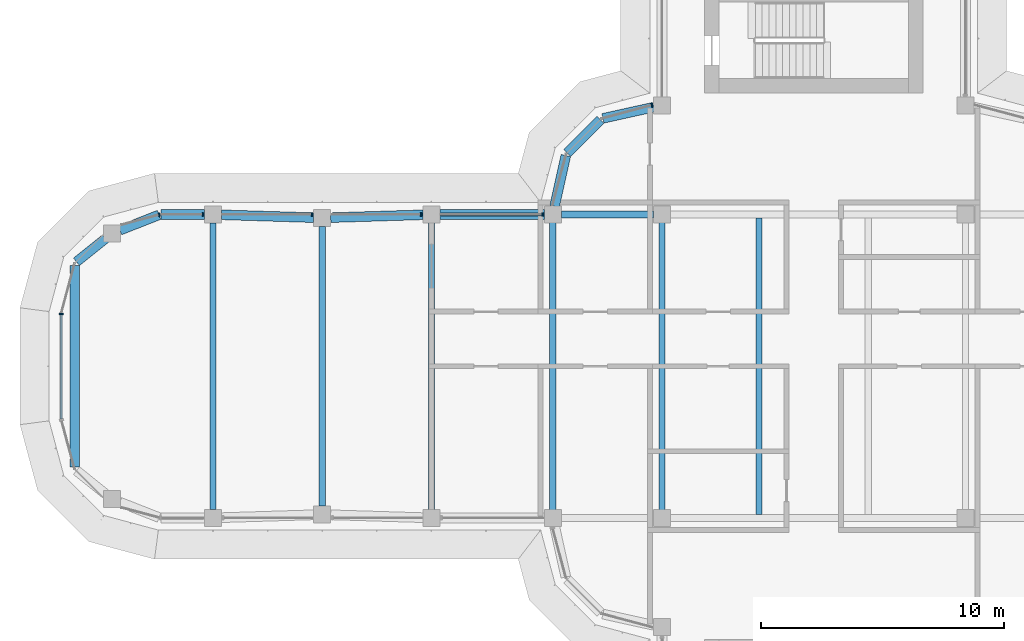
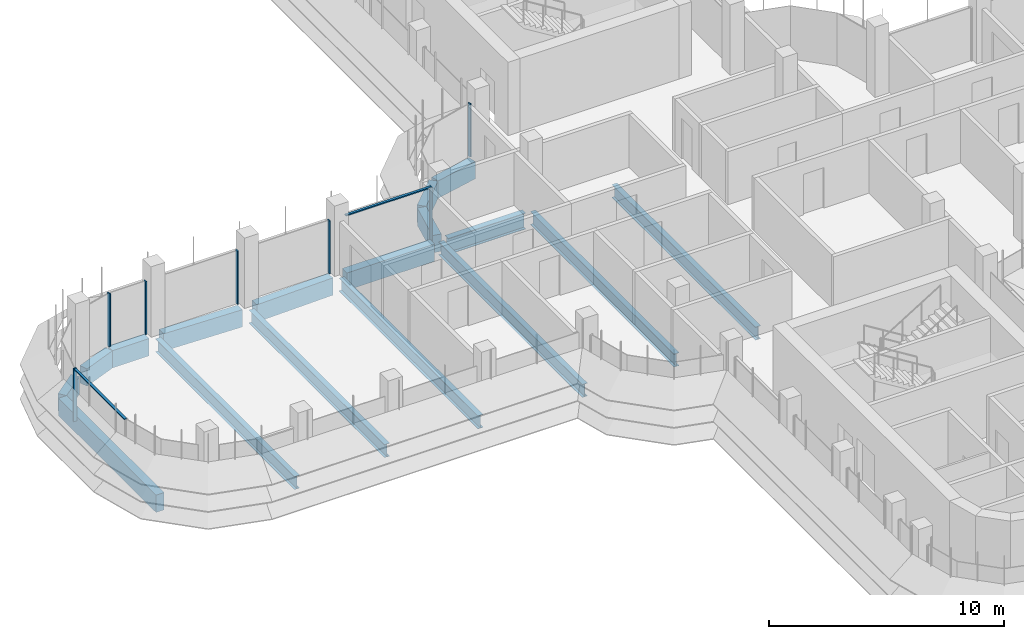
# One storey, part 6 of 18: 17 beams, 9 members, 4 elements without a shape of their own.
"""IFC4 building model written with IfcOpenShell, lengths in metres."""

from ifc_helpers import new_model, si_unit, direction, frame, origin, origin_2d, place, context, subcontext, project, spatial, polyline, rectangle, i_section, outline, extrude, source, transform, mapped, material, material_profile, profile_set, type_object, element, aggregate, save


model = new_model("IFC4")

# Units and contexts
model_context = context("Model", 3, precision=1e-05, world=origin(), true_north=direction((0.0, 1.0)))
body_context = subcontext(model_context, "Body", "Model", "MODEL_VIEW")
ifc_project = project(units=[si_unit("LENGTHUNIT", "METRE"), si_unit("AREAUNIT", "SQUARE_METRE"), si_unit("VOLUMEUNIT", "CUBIC_METRE"), si_unit("PLANEANGLEUNIT", "RADIAN"), si_unit("MASSUNIT", "GRAM", prefix="KILO")], contexts=[model_context])

# Site, building, storey
site_placement = place(None, origin())
site = spatial("IfcSite", under=ifc_project, at=site_placement, CompositionType="ELEMENT")
building_placement = place(site_placement, origin())
building = spatial("IfcBuilding", under=site, at=building_placement, Name="Zarbagh Exchange Tower", CompositionType="ELEMENT")
storey_placement = place(building_placement, frame((0.0, 0.0, 210.60009765625)))
storey = spatial("IfcBuildingStorey", under=building, at=storey_placement, Name="L51", CompositionType="ELEMENT", Elevation=210.60009765625)

# Beams
ifc_material_1 = material(Name="Steel ASTM A992 Gr 50", Category="steel")
ifc_material_profile_1 = material_profile(ifc_material_1, i_section(OverallWidth=0.25390625, OverallDepth=0.67822265625, WebThickness=0.01171875, FlangeThickness=0.016357421875, at=origin_2d()), Name="W27X84")
ifc_profile_set_1 = profile_set([ifc_material_profile_1], Name="Steel ASTM A992 Gr 50")
beam_type_1 = type_object("IfcBeamType", Name="Floor beam W27X84", PredefinedType="BEAM", material=ifc_profile_set_1)
for number, where, z_axis, x_axis, name in (
    (1, (-10.75, -6.10400390625, -0.4892578125), (0.0, 1.0, 0.0), (-1.0, 0.0, 0.0), "Steel floor beam"),
    (2, (-6.25, -6.10400390625, -0.4892578125), (0.0, 1.0, 0.0), (-1.0, 0.0, 0.0), "Steel floor beam"),
    (3, (-2.25, -6.10400390625, -0.4892578125), (0.0, 1.0, 0.0), (-1.0, 0.0, 0.0), "Steel floor beam"),
):
    element("IfcBeam", number, at=place(storey_placement, frame(where, z_axis=z_axis, x_axis=x_axis)), inside=storey, type_object=beam_type_1, Name=name, PredefinedType="BEAM", context=body_context, shape_type="SweptSolid", body=[
        extrude(i_section(OverallWidth=0.25390625, OverallDepth=0.67822265625, WebThickness=0.01171875, FlangeThickness=0.016357421875, at=origin_2d()), origin(), (0.0, 0.0, 1.0), 12.2080078125),
    ])
beam_1_placement = place(storey_placement, frame((-15.75, -5.89990234375, -0.4892578125), z_axis=(0.0, 1.0, 0.0), x_axis=(-1.0, 0.0, 0.0)))
element("IfcBeam", 4, at=beam_1_placement, inside=storey, type_object=beam_type_1, Name="Steel floor beam", PredefinedType="BEAM", context=body_context, shape_type="SweptSolid", body=[
    extrude(i_section(OverallWidth=0.25390625, OverallDepth=0.67822265625, WebThickness=0.01171875, FlangeThickness=0.016357421875, at=origin_2d()), origin(), (0.0, 0.0, 1.0), 11.7998046875),
])
beam_2_placement = place(storey_placement, frame((-20.25, -5.760009765625, -0.4892578125), z_axis=(0.0, 1.0, 0.0), x_axis=(-1.0, 0.0, 0.0)))
element("IfcBeam", 5, at=beam_2_placement, inside=storey, type_object=beam_type_1, Name="Steel floor beam", PredefinedType="BEAM", context=body_context, shape_type="SweptSolid", body=[
    extrude(i_section(OverallWidth=0.25390625, OverallDepth=0.67822265625, WebThickness=0.01171875, FlangeThickness=0.016357421875, at=origin_2d()), origin(), (0.0, 0.0, 1.0), 11.52001953125),
])
beam_3_placement = place(storey_placement, frame((-24.75, -5.89990234375, -0.4892578125), z_axis=(0.0, 1.0, 0.0), x_axis=(-1.0, 0.0, 0.0)))
element("IfcBeam", 6, at=beam_3_placement, inside=storey, type_object=beam_type_1, Name="Steel floor beam", PredefinedType="BEAM", context=body_context, shape_type="SweptSolid", body=[
    extrude(i_section(OverallWidth=0.25390625, OverallDepth=0.67822265625, WebThickness=0.01171875, FlangeThickness=0.016357421875, at=origin_2d()), origin(), (0.0, 0.0, 1.0), 11.7998046875),
])
ifc_material_profile_2 = material_profile(ifc_material_1, i_section(OverallWidth=0.2919921875, OverallDepth=0.835693359375, WebThickness=0.013916015625, FlangeThickness=0.018798828125, at=origin_2d()), Name="W33X118")
ifc_profile_set_2 = profile_set([ifc_material_profile_2], Name="Steel ASTM A992 Gr 50")
beam_type_2 = type_object("IfcBeamType", Name="Floor girder W33X118", PredefinedType="BEAM", material=ifc_profile_set_2)
beam_4_placement = place(storey_placement, frame((-10.39990234375, 6.25, -0.56787109375), z_axis=(1.0, 0.0, 0.0), x_axis=(0.0, 1.0, 0.0)))
element("IfcBeam", 7, at=beam_4_placement, inside=storey, type_object=beam_type_2, Name="Steel girder", PredefinedType="BEAM", context=body_context, shape_type="SweptSolid", body=[
    extrude(i_section(OverallWidth=0.2919921875, OverallDepth=0.835693359375, WebThickness=0.013916015625, FlangeThickness=0.018798828125, at=origin_2d()), origin(), (0.0, 0.0, 1.0), 3.7998046875),
])
ifc_material_2 = material(Name="Concrete C50/60", Category="concrete")
ifc_material_profile_3 = material_profile(ifc_material_2, rectangle(XDim=0.39990234375, YDim=0.89990234375, at=origin_2d()), Name="RC spandrel beam 400 x 900 C50/60")
ifc_profile_set_3 = profile_set([ifc_material_profile_3], Name="Concrete C50/60")
beam_type_3 = type_object("IfcBeamType", Name="RC spandrel beam 400 x 900 C50/60", PredefinedType="SPANDREL", material=ifc_profile_set_3)
beam_5_placement = place(storey_placement, frame((-30.44873046875, -4.14501953125, -0.60009765625), z_axis=(0.0, 1.0, 0.0), x_axis=(-1.0, 0.0, 0.0)))
element("IfcBeam", 8, at=beam_5_placement, inside=storey, type_object=beam_type_3, Name="RC spandrel beam", PredefinedType="SPANDREL", context=body_context, shape_type="SweptSolid", body=[
    extrude(rectangle(XDim=0.39990234375, YDim=0.89990234375, at=origin_2d()), origin(), (0.0, 0.0, 1.0), 8.2900390625),
])
beam_6_placement = place(storey_placement, frame((-30.373779296875, 4.30126953125, -0.60009765625), z_axis=(0.780634897504, 0.62498732531, 0.0), x_axis=(-0.62498732531, 0.780634897504, 0.0)))
element("IfcBeam", 9, at=beam_6_placement, inside=storey, type_object=beam_type_3, Name="RC spandrel beam", PredefinedType="SPANDREL", context=body_context, shape_type="SweptSolid", body=[
    extrude(rectangle(XDim=0.39990234375, YDim=0.89990234375, at=origin_2d()), origin(), (0.0, 0.0, 1.0), 1.52783203125),
])
beam_7_placement = place(storey_placement, frame((-28.582275390625, 5.602783203125, -0.60009765625), z_axis=(0.930809711446, 0.365504146457, 0.0), x_axis=(-0.365504146457, 0.930809711446, 0.0)))
element("IfcBeam", 10, at=beam_7_placement, inside=storey, type_object=beam_type_3, Name="RC spandrel beam", PredefinedType="SPANDREL", context=body_context, shape_type="SweptSolid", body=[
    extrude(rectangle(XDim=0.39990234375, YDim=0.89990234375, at=origin_2d()), origin(), (0.0, 0.0, 1.0), 1.732666015625),
])
beam_8_placement = place(storey_placement, frame((-26.896240234375, 6.25, -0.60009765625), z_axis=(1.0, 0.0, 0.0), x_axis=(0.0, 1.0, 0.0)))
element("IfcBeam", 11, at=beam_8_placement, inside=storey, type_object=beam_type_3, Name="RC spandrel beam", PredefinedType="SPANDREL", context=body_context, shape_type="SweptSolid", body=[
    extrude(rectangle(XDim=0.39990234375, YDim=0.89990234375, at=origin_2d()), origin(), (0.0, 0.0, 1.0), 1.796142578125),
])
for number, where, z_axis, x_axis, name in (
    (12, (-24.400146484375, 6.239013671875, -0.60009765625), (0.999516950199, -0.031078389046, 0.0), (0.031078389046, 0.999516950199, 0.0), "RC spandrel beam"),
    (13, (-19.900146484375, 6.120849609375, -0.60009765625), (0.999516950199, 0.031078389046, 0.0), (-0.031078389046, 0.999516950199, 0.0), "RC spandrel beam"),
):
    element("IfcBeam", number, at=place(storey_placement, frame(where, z_axis=z_axis, x_axis=x_axis)), inside=storey, type_object=beam_type_3, Name=name, PredefinedType="SPANDREL", context=body_context, shape_type="SweptSolid", body=[
        extrude(rectangle(XDim=0.39990234375, YDim=0.89990234375, at=origin_2d()), origin(), (0.0, 0.0, 1.0), 3.80224609375),
    ])
beam_9_placement = place(storey_placement, frame((-15.39990234375, 6.25, -0.60009765625), z_axis=(1.0, 0.0, 0.0), x_axis=(0.0, 1.0, 0.0)))
element("IfcBeam", 14, at=beam_9_placement, inside=storey, type_object=beam_type_3, Name="RC spandrel beam", PredefinedType="SPANDREL", context=body_context, shape_type="SweptSolid", body=[
    extrude(rectangle(XDim=0.39990234375, YDim=0.89990234375, at=origin_2d()), origin(), (0.0, 0.0, 1.0), 4.2998046875),
])
beam_10_placement = place(storey_placement, frame((-10.67431640625, 6.591796875, -0.60009765625), z_axis=(0.216013551096, 0.97639036545, 0.0), x_axis=(-0.97639036545, 0.216013551096, 0.0)))
element("IfcBeam", 15, at=beam_10_placement, inside=storey, type_object=beam_type_3, Name="RC spandrel beam", PredefinedType="SPANDREL", context=body_context, shape_type="SweptSolid", body=[
    extrude(rectangle(XDim=0.39990234375, YDim=0.89990234375, at=origin_2d()), origin(), (0.0, 0.0, 1.0), 2.142822265625),
])
beam_11_placement = place(storey_placement, frame((-10.15771484375, 8.782470703125, -0.60009765625), z_axis=(0.707106781187, 0.707106781187, 0.0), x_axis=(-0.707106781187, 0.707106781187, 0.0)))
element("IfcBeam", 16, at=beam_11_placement, inside=storey, type_object=beam_type_3, Name="RC spandrel beam", PredefinedType="SPANDREL", context=body_context, shape_type="SweptSolid", body=[
    extrude(rectangle(XDim=0.39990234375, YDim=0.89990234375, at=origin_2d()), origin(), (0.0, 0.0, 1.0), 1.94482421875),
])
beam_12_placement = place(storey_placement, frame((-8.68408203125, 10.21142578125, -0.60009765625), z_axis=(0.97639036545, 0.216013551096, 0.0), x_axis=(-0.216013551096, 0.97639036545, 0.0)))
element("IfcBeam", 17, at=beam_12_placement, inside=storey, type_object=beam_type_3, Name="RC spandrel beam", PredefinedType="SPANDREL", context=body_context, shape_type="SweptSolid", body=[
    extrude(rectangle(XDim=0.39990234375, YDim=0.89990234375, at=origin_2d()), origin(), (0.0, 0.0, 1.0), 2.142822265625),
])

# Curtain wall, member
ifc_material_3 = material(Name="Anodised aluminium frame and glazing", Category="aluminium")
curtain_wall_type = type_object("IfcCurtainWallType", Name="CWB Ribbon glazing, upper zones", PredefinedType="NOTDEFINED", material=ifc_material_3)
curtain_wall_1_placement = place(storey_placement, origin())
curtain_wall_1 = element("IfcCurtainWall", 18, at=curtain_wall_1_placement, inside=storey, type_object=curtain_wall_type, Name="CWB29 curtain wall", PredefinedType="NOTDEFINED")
ifc_material_4 = material(Name="Anodised aluminium frame", Category="aluminium")
member_type_1 = type_object("IfcMemberType", Name="MUB Mullion, anodised aluminium frame", PredefinedType="MULLION", material=ifc_material_4)
shared_shape_1 = source(origin(), body_context, "Body", "SweptSolid", [
    extrude(outline(polyline([(0.0, -0.080078125), (0.06005859375, -0.080078125), (0.06005859375, 0.080078125), (0.0, 0.080078125), (0.0, -0.080078125)])), origin(), (0.0, 0.0, 1.0), 2.75),
])
placement = place(storey_placement, origin())
member_1 = element("IfcMember", 19, at=placement, type_object=member_type_1, Name="CWB29 mullion 1.1", PredefinedType="MULLION", context=body_context, shape_type="MappedRepresentation", body=[
    mapped(shared_shape_1, transform((-6.64013671875, 10.76171875, 0.0), x_axis=(-0.965924289636, -0.258824779902, 0.0), y_axis=(0.258824779902, -0.965924289636, 0.0), z_axis=(0.0, 0.0, 1.0))),
])
aggregate(curtain_wall_1, [member_1])

# Curtain wall, members
curtain_wall_2_placement = place(storey_placement, origin())
curtain_wall_2 = element("IfcCurtainWall", 20, at=curtain_wall_2_placement, inside=storey, type_object=curtain_wall_type, Name="CWB58 curtain wall", PredefinedType="NOTDEFINED")
member_2 = element("IfcMember", 21, at=placement, type_object=member_type_1, Name="CWB58 mullion 1.1", PredefinedType="MULLION", context=body_context, shape_type="MappedRepresentation", body=[
    mapped(shared_shape_1, transform((-11.14013671875, 6.25, 0.0), x_axis=(-1.0, 0.0, 0.0), y_axis=(0.0, -1.0, 0.0), z_axis=(0.0, 0.0, 1.0))),
])
member_3 = element("IfcMember", 22, at=placement, type_object=member_type_1, Name="CWB58 mullion 2.1", PredefinedType="MULLION", context=body_context, shape_type="MappedRepresentation", body=[
    mapped(shared_shape_1, transform((-16.14013671875, 6.25, 0.0), x_axis=(-1.0, 0.0, 0.0), y_axis=(0.0, -1.0, 0.0), z_axis=(0.0, 0.0, 1.0))),
])
member_4 = element("IfcMember", 23, at=placement, type_object=member_type_1, Name="CWB58 mullion 3.1", PredefinedType="MULLION", context=body_context, shape_type="MappedRepresentation", body=[
    mapped(shared_shape_1, transform((-20.64013671875, 6.25, 0.0), x_axis=(-1.0, 0.0, 0.0), y_axis=(0.0, -1.0, 0.0), z_axis=(0.0, 0.0, 1.0))),
])
member_5 = element("IfcMember", 24, at=placement, type_object=member_type_1, Name="CWB58 mullion 4.1", PredefinedType="MULLION", context=body_context, shape_type="MappedRepresentation", body=[
    mapped(shared_shape_1, transform((-25.14013671875, 6.25, 0.0), x_axis=(-1.0, 0.0, 0.0), y_axis=(0.0, -1.0, 0.0), z_axis=(0.0, 0.0, 1.0))),
])

# Curtain wall, member
curtain_wall_3_placement = place(storey_placement, origin())
curtain_wall_3 = element("IfcCurtainWall", 25, at=curtain_wall_3_placement, inside=storey, type_object=curtain_wall_type, Name="CWB59 curtain wall", PredefinedType="NOTDEFINED")
member_6 = element("IfcMember", 26, at=placement, type_object=member_type_1, Name="CWB59 mullion 1.1", PredefinedType="MULLION", context=body_context, shape_type="MappedRepresentation", body=[
    mapped(shared_shape_1, transform((-26.93408203125, 6.25, 0.0), x_axis=(-0.965924289636, -0.258824779902, 0.0), y_axis=(0.258824779902, -0.965924289636, 0.0), z_axis=(0.0, 0.0, 1.0))),
])
aggregate(curtain_wall_3, [member_6])

# Curtain wall, members
curtain_wall_4_placement = place(storey_placement, origin())
curtain_wall_4 = element("IfcCurtainWall", 27, at=curtain_wall_4_placement, inside=storey, type_object=curtain_wall_type, Name="CWB66 curtain wall", PredefinedType="NOTDEFINED")
member_7 = element("IfcMember", 28, at=placement, type_object=member_type_1, Name="CWB66 mullion 1.1", PredefinedType="MULLION", context=body_context, shape_type="MappedRepresentation", body=[
    mapped(shared_shape_1, transform((-31.0, 2.18408203125, 0.0), x_axis=(0.0, -1.0, 0.0), y_axis=(1.0, 0.0, 0.0), z_axis=(0.0, 0.0, 1.0))),
])
member_type_2 = type_object("IfcMemberType", Name="TRB Transom, anodised aluminium frame", PredefinedType="USERDEFINED", material=ifc_material_4)
shared_shape_2 = source(origin(), body_context, "Body", "SweptSolid", [
    extrude(outline(polyline([(-0.06005859375, -0.06005859375), (0.0, -0.06005859375), (0.0, 0.06005859375), (-0.06005859375, 0.06005859375), (-0.06005859375, -0.06005859375)])), origin(), (0.0, 0.0, 1.0), 4.308349609375),
])
member_8 = element("IfcMember", 29, at=placement, type_object=member_type_2, Name="CWB66 transom 1.1", ObjectType="TRANSOM", PredefinedType="USERDEFINED", context=body_context, shape_type="MappedRepresentation", body=[
    mapped(shared_shape_2, transform((-31.0, 2.124267578125, 2.75), x_axis=(0.0, 0.0, 1.0), y_axis=(-1.0, 0.0, 0.0), z_axis=(0.0, -1.0, 0.0))),
])
aggregate(curtain_wall_4, [member_7, member_8])

# Member
shared_shape_3 = source(origin(), body_context, "Body", "SweptSolid", [
    extrude(outline(polyline([(-0.06005859375, -0.06005859375), (0.0, -0.06005859375), (0.0, 0.06005859375), (-0.06005859375, 0.06005859375), (-0.06005859375, -0.06005859375)])), origin(), (0.0, 0.0, 1.0), 4.159912109375),
])
member_9 = element("IfcMember", 30, at=placement, type_object=member_type_2, Name="CWB58 transom 1.1", ObjectType="TRANSOM", PredefinedType="USERDEFINED", context=body_context, shape_type="MappedRepresentation", body=[
    mapped(shared_shape_3, transform((-11.199951171875, 6.25, 2.75), x_axis=(0.0, 0.0, 1.0), y_axis=(0.0, 1.0, 0.0), z_axis=(-1.0, 0.0, 0.0))),
])

aggregate(curtain_wall_2, [member_2, member_9, member_3, member_4, member_5])

save(model, "model.ifc")
